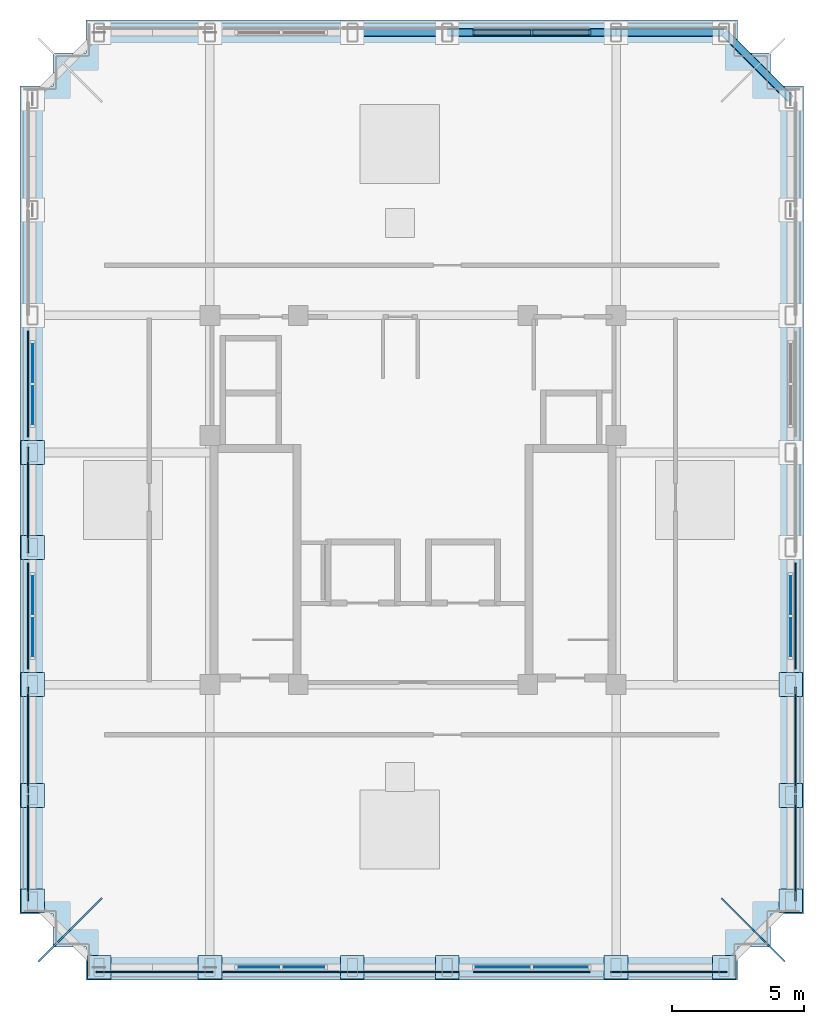
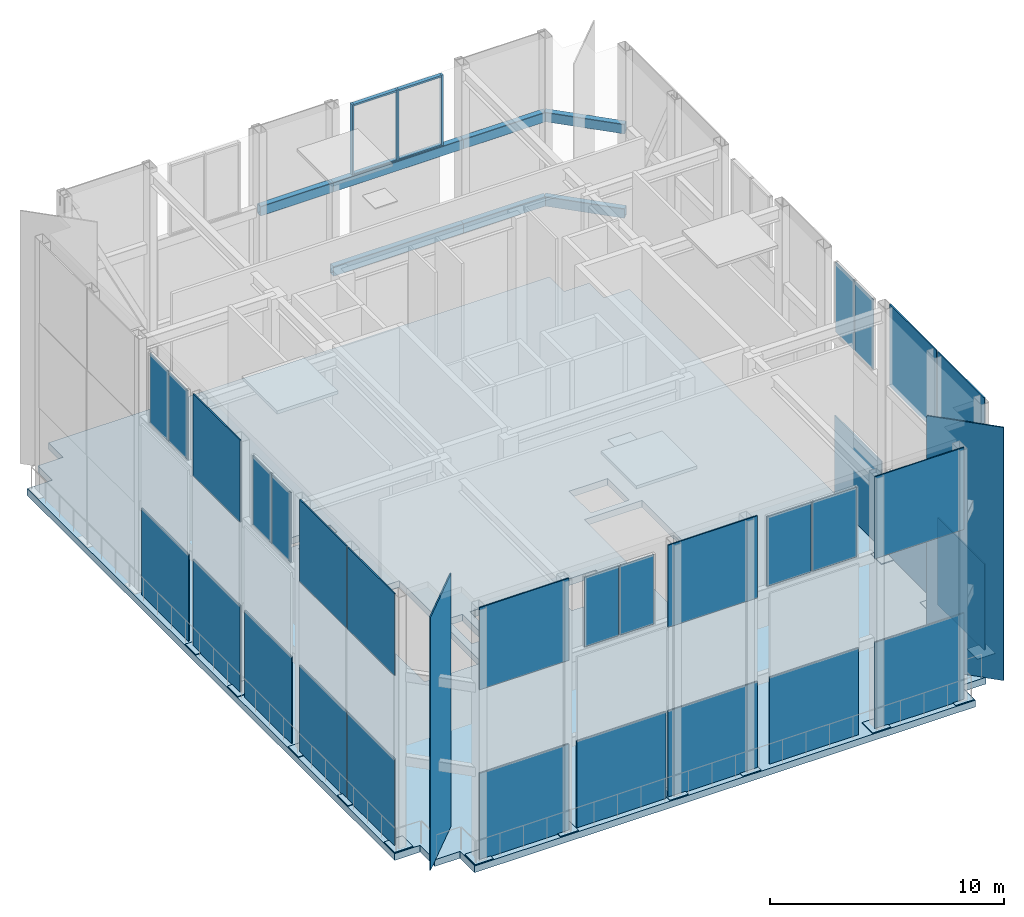
# One storey, part 3 of 7: 47 plates, 7 beams, 7 members, 1 slab, 6 elements without a shape of their own.
"""IFC4 building model written with IfcOpenShell, lengths in metres."""

from ifc_helpers import new_model, si_unit, derived_unit, direction, frame, origin, origin_2d, place, context, subcontext, project, spatial, polyline, rectangle, hollow_rectangle, outline, extrude, material, layer, layer_set, material_profile, profile_set, type_object, element, aggregate, save


model = new_model("IFC4")

# Units and contexts
model_context = context("Model", 3, precision=1e-05, world=origin(), true_north=direction((0.0, 1.0)))
body_context = subcontext(model_context, "Body", "Model", "MODEL_VIEW")
ifc_project = project(units=[si_unit("LENGTHUNIT", "METRE"), si_unit("AREAUNIT", "SQUARE_METRE"), si_unit("VOLUMEUNIT", "CUBIC_METRE"), si_unit("PLANEANGLEUNIT", "RADIAN"), si_unit("MASSUNIT", "GRAM", prefix="KILO"), derived_unit("THERMALTRANSMITTANCEUNIT", [(si_unit("MASSUNIT", "GRAM", prefix="KILO"), 1), (si_unit("TIMEUNIT", "SECOND"), -3), (si_unit("THERMODYNAMICTEMPERATUREUNIT", "KELVIN"), -1)])], contexts=[model_context])

# Site, building, storey
site_placement = place(None, origin())
site = spatial("IfcSite", under=ifc_project, at=site_placement, CompositionType="ELEMENT")
building_placement = place(site_placement, origin())
building = spatial("IfcBuilding", under=site, at=building_placement, Name="Korrvale Station Residences", CompositionType="ELEMENT")
storey_placement = place(building_placement, frame((0.0, 0.0, 261.5)))
storey = spatial("IfcBuildingStorey", under=building, at=storey_placement, Name="L76 Crown", CompositionType="ELEMENT", Elevation=261.5)

# Beams
ifc_material_1 = material(Name="Steel S355", Category="steel")
ifc_material_profile = material_profile(ifc_material_1, hollow_rectangle(XDim=0.3046875, YDim=0.508056640625, WallThickness=0.015869140625, InnerFilletRadius=0.015869140625, OuterFilletRadius=0.03173828125, at=origin_2d()), Name="HSS508x305x16")
ifc_profile_set = profile_set([ifc_material_profile], Name="Steel S355")
beam_type = type_object("IfcBeamType", Name="BM-CFB-HSS508x305x16-S355", PredefinedType="USERDEFINED", material=ifc_profile_set)
beam_placement = place(storey_placement, frame((23.199951171875, 39.719970703125, 8.89990234375), z_axis=(1.0, 0.0, 0.0), x_axis=(0.0, 1.0, 0.0)))
element("IfcBeam", 1, at=beam_placement, inside=storey, type_object=beam_type, Name="Ring Crown Intermediate Ring Beam M2-08", ObjectType="CROWN FRAME", PredefinedType="USERDEFINED", context=body_context, shape_type="SweptSolid", body=[
    extrude(hollow_rectangle(XDim=0.3046875, YDim=0.508056640625, WallThickness=0.015869140625, InnerFilletRadius=0.015869140625, OuterFilletRadius=0.03173828125, at=origin_2d()), origin(), (0.0, 0.0, 1.0), 3.60009765625),
])
for number, where, z_axis, x_axis, name in (
    (2, (26.800048828125, 39.719970703125, 4.5), (1.0, 0.0, 0.0), (0.0, 1.0, 0.0), "Ring Crown Intermediate Ring Beam M1-09"),
    (3, (26.800048828125, 39.719970703125, 8.89990234375), (1.0, 0.0, 0.0), (0.0, 1.0, 0.0), "Ring Crown Intermediate Ring Beam M2-09"),
):
    element("IfcBeam", number, at=place(storey_placement, frame(where, z_axis=z_axis, x_axis=x_axis)), inside=storey, type_object=beam_type, Name=name, ObjectType="CROWN FRAME", PredefinedType="USERDEFINED", context=body_context, shape_type="SweptSolid", body=[
        extrude(hollow_rectangle(XDim=0.3046875, YDim=0.508056640625, WallThickness=0.015869140625, InnerFilletRadius=0.015869140625, OuterFilletRadius=0.03173828125, at=origin_2d()), origin(), (0.0, 0.0, 1.0), 6.39990234375),
    ])
for number, where, z_axis, x_axis, name in (
    (4, (33.199951171875, 39.719970703125, 4.5), (1.0, 0.0, 0.0), (0.0, 1.0, 0.0), "Ring Crown Intermediate Ring Beam M1-10"),
    (5, (33.199951171875, 39.719970703125, 8.89990234375), (1.0, 0.0, 0.0), (0.0, 1.0, 0.0), "Ring Crown Intermediate Ring Beam M2-10"),
):
    element("IfcBeam", number, at=place(storey_placement, frame(where, z_axis=z_axis, x_axis=x_axis)), inside=storey, type_object=beam_type, Name=name, ObjectType="CROWN FRAME", PredefinedType="USERDEFINED", context=body_context, shape_type="SweptSolid", body=[
        extrude(hollow_rectangle(XDim=0.3046875, YDim=0.508056640625, WallThickness=0.015869140625, InnerFilletRadius=0.015869140625, OuterFilletRadius=0.03173828125, at=origin_2d()), origin(), (0.0, 0.0, 1.0), 4.10009765625),
    ])
for number, where, z_axis, x_axis, name in (
    (6, (37.300048828125, 39.719970703125, 4.5), (0.707106781187, -0.707106781187, 0.0), (0.707106781187, 0.707106781187, 0.0), "Ring Crown Intermediate Ring Beam M1-27"),
    (7, (37.300048828125, 39.719970703125, 8.89990234375), (0.707106781187, -0.707106781187, 0.0), (0.707106781187, 0.707106781187, 0.0), "Ring Crown Intermediate Ring Beam M2-27"),
):
    element("IfcBeam", number, at=place(storey_placement, frame(where, z_axis=z_axis, x_axis=x_axis)), inside=storey, type_object=beam_type, Name=name, ObjectType="CROWN FRAME", PredefinedType="USERDEFINED", context=body_context, shape_type="SweptSolid", body=[
        extrude(hollow_rectangle(XDim=0.3046875, YDim=0.508056640625, WallThickness=0.015869140625, InnerFilletRadius=0.015869140625, OuterFilletRadius=0.03173828125, at=origin_2d()), origin(), (0.0, 0.0, 1.0), 3.56396484375),
    ])

# Curtain wall, members
ifc_material_2 = material(Name="Unitised thermally broken aluminium curtain wall with triple low-e IGU", Category="aluminium")
curtain_wall_type = type_object("IfcCurtainWallType", Name="CW-CRN-RNG", PredefinedType="NOTDEFINED", material=ifc_material_2)
curtain_wall_1_placement = place(storey_placement, origin())
curtain_wall_1 = element("IfcCurtainWall", 8, at=curtain_wall_1_placement, inside=storey, type_object=curtain_wall_type, Name="L76 Crown Curtain Wall CW6-RUN-4", PredefinedType="NOTDEFINED")
ifc_material_3 = material(Name="Extruded thermally broken aluminium mullion", Category="aluminium")
member_type_1 = type_object("IfcMemberType", Name="CW-CRN-RNG-M", PredefinedType="MULLION", material=ifc_material_3)
member_1_placement = place(storey_placement, frame((27.794921875, 39.719970703125, 9.1201171875), z_axis=(0.0, 0.0, 1.0), x_axis=(1.0, 0.0, 0.0)))
member_1 = element("IfcMember", 9, at=member_1_placement, type_object=member_type_1, Name="CW-CRN-RNG Mullion 1", PredefinedType="MULLION", context=body_context, shape_type="SweptSolid", body=[
    extrude(rectangle(XDim=0.090087890625, YDim=0.18505859375, at=origin_2d()), origin(), (0.0, 0.0, 1.0), 3.7099609375),
])
member_2_placement = place(storey_placement, frame((30.0, 39.719970703125, 9.1201171875), z_axis=(0.0, 0.0, 1.0), x_axis=(1.0, 0.0, 0.0)))
member_2 = element("IfcMember", 10, at=member_2_placement, type_object=member_type_1, Name="CW-CRN-RNG Mullion 2", PredefinedType="MULLION", context=body_context, shape_type="SweptSolid", body=[
    extrude(rectangle(XDim=0.090087890625, YDim=0.18505859375, at=origin_2d()), origin(), (0.0, 0.0, 1.0), 3.7099609375),
])
member_3_placement = place(storey_placement, frame((32.205078125, 39.719970703125, 9.1201171875), z_axis=(0.0, 0.0, 1.0), x_axis=(1.0, 0.0, 0.0)))
member_3 = element("IfcMember", 11, at=member_3_placement, type_object=member_type_1, Name="CW-CRN-RNG Mullion 3", PredefinedType="MULLION", context=body_context, shape_type="SweptSolid", body=[
    extrude(rectangle(XDim=0.090087890625, YDim=0.18505859375, at=origin_2d()), origin(), (0.0, 0.0, 1.0), 3.7099609375),
])
ifc_material_4 = material(Name="Extruded thermally broken aluminium transom", Category="aluminium")
member_type_2 = type_object("IfcMemberType", Name="CW-CRN-RNG-T", PredefinedType="USERDEFINED", material=ifc_material_4)
member_4_placement = place(storey_placement, frame((28.875, 39.719970703125, 9.1201171875), z_axis=(0.0, 0.0, 1.0), x_axis=(1.0, 0.0, 0.0)))
member_4 = element("IfcMember", 12, at=member_4_placement, type_object=member_type_2, Name="CW-CRN-RNG Transom 1-1", ObjectType="TRANSOM", PredefinedType="USERDEFINED", context=body_context, shape_type="SweptSolid", body=[
    extrude(rectangle(XDim=2.159912109375, YDim=0.18505859375, at=origin_2d()), origin(), (0.0, 0.0, 1.0), 0.090087890625),
])
member_5_placement = place(storey_placement, frame((28.875, 39.719970703125, 12.73974609375), z_axis=(0.0, 0.0, 1.0), x_axis=(1.0, 0.0, 0.0)))
member_5 = element("IfcMember", 13, at=member_5_placement, type_object=member_type_2, Name="CW-CRN-RNG Transom 1-2", ObjectType="TRANSOM", PredefinedType="USERDEFINED", context=body_context, shape_type="SweptSolid", body=[
    extrude(rectangle(XDim=2.159912109375, YDim=0.18505859375, at=origin_2d()), origin(), (0.0, 0.0, 1.0), 0.090087890625),
])
member_6_placement = place(storey_placement, frame((31.125, 39.719970703125, 9.1201171875), z_axis=(0.0, 0.0, 1.0), x_axis=(1.0, 0.0, 0.0)))
member_6 = element("IfcMember", 14, at=member_6_placement, type_object=member_type_2, Name="CW-CRN-RNG Transom 2-1", ObjectType="TRANSOM", PredefinedType="USERDEFINED", context=body_context, shape_type="SweptSolid", body=[
    extrude(rectangle(XDim=2.159912109375, YDim=0.18505859375, at=origin_2d()), origin(), (0.0, 0.0, 1.0), 0.090087890625),
])
member_7_placement = place(storey_placement, frame((31.125, 39.719970703125, 12.73974609375), z_axis=(0.0, 0.0, 1.0), x_axis=(1.0, 0.0, 0.0)))
member_7 = element("IfcMember", 15, at=member_7_placement, type_object=member_type_2, Name="CW-CRN-RNG Transom 2-2", ObjectType="TRANSOM", PredefinedType="USERDEFINED", context=body_context, shape_type="SweptSolid", body=[
    extrude(rectangle(XDim=2.159912109375, YDim=0.18505859375, at=origin_2d()), origin(), (0.0, 0.0, 1.0), 0.090087890625),
])
aggregate(curtain_wall_1, [member_1, member_2, member_3, member_4, member_5, member_6, member_7])

# Curtain wall, plates
curtain_wall_2_placement = place(storey_placement, origin())
curtain_wall_2 = element("IfcCurtainWall", 16, at=curtain_wall_2_placement, inside=storey, type_object=curtain_wall_type, Name="L76 Crown Curtain Wall CW6-RUN-1", PredefinedType="NOTDEFINED")
ifc_material_5 = material(Name="Triple-glazed low-e argon insulated glass unit", Category="glass")
ifc_layer_1 = layer(ifc_material_5, 0.035888671875, Name="Triple-glazed low-e argon insulated glass unit")
ifc_layer_set_1 = layer_set([ifc_layer_1], Name="Triple-glazed low-e argon insulated glass unit")
plate_type_1 = type_object("IfcPlateType", Name="CW-CRN-RNG-P", PredefinedType="CURTAIN_PANEL", material=ifc_layer_set_1)
plate_1_placement = place(storey_placement, frame((19.625, 4.280029296875, 9.1552734375), z_axis=(0.0, 0.0, 1.0), x_axis=(1.0, 0.0, 0.0)))
plate_1 = element("IfcPlate", 17, at=plate_1_placement, type_object=plate_type_1, Name="CW-CRN-RNG Glazing Panel 1-1", PredefinedType="CURTAIN_PANEL", context=body_context, shape_type="SweptSolid", body=[
    extrude(rectangle(XDim=1.679931640625, YDim=0.035888671875, at=origin_2d()), origin(), (0.0, 0.0, 1.0), 3.639892578125),
])
plate_2_placement = place(storey_placement, frame((21.375, 4.280029296875, 9.1552734375), z_axis=(0.0, 0.0, 1.0), x_axis=(1.0, 0.0, 0.0)))
plate_2 = element("IfcPlate", 18, at=plate_2_placement, type_object=plate_type_1, Name="CW-CRN-RNG Glazing Panel 2-1", PredefinedType="CURTAIN_PANEL", context=body_context, shape_type="SweptSolid", body=[
    extrude(rectangle(XDim=1.679931640625, YDim=0.035888671875, at=origin_2d()), origin(), (0.0, 0.0, 1.0), 3.639892578125),
])
aggregate(curtain_wall_2, [plate_1, plate_2])

curtain_wall_3_placement = place(storey_placement, origin())
curtain_wall_3 = element("IfcCurtainWall", 19, at=curtain_wall_3_placement, inside=storey, type_object=curtain_wall_type, Name="L76 Crown Curtain Wall CW6-RUN-2", PredefinedType="NOTDEFINED")
plate_3_placement = place(storey_placement, frame((28.875, 4.280029296875, 9.1552734375), z_axis=(0.0, 0.0, 1.0), x_axis=(1.0, 0.0, 0.0)))
plate_3 = element("IfcPlate", 20, at=plate_3_placement, type_object=plate_type_1, Name="CW-CRN-RNG Glazing Panel 1-1", PredefinedType="CURTAIN_PANEL", context=body_context, shape_type="SweptSolid", body=[
    extrude(rectangle(XDim=2.179931640625, YDim=0.035888671875, at=origin_2d()), origin(), (0.0, 0.0, 1.0), 3.639892578125),
])
plate_4_placement = place(storey_placement, frame((31.125, 4.280029296875, 9.1552734375), z_axis=(0.0, 0.0, 1.0), x_axis=(1.0, 0.0, 0.0)))
plate_4 = element("IfcPlate", 21, at=plate_4_placement, type_object=plate_type_1, Name="CW-CRN-RNG Glazing Panel 2-1", PredefinedType="CURTAIN_PANEL", context=body_context, shape_type="SweptSolid", body=[
    extrude(rectangle(XDim=2.179931640625, YDim=0.035888671875, at=origin_2d()), origin(), (0.0, 0.0, 1.0), 3.639892578125),
])
aggregate(curtain_wall_3, [plate_3, plate_4])

curtain_wall_4_placement = place(storey_placement, origin())
curtain_wall_4 = element("IfcCurtainWall", 22, at=curtain_wall_4_placement, inside=storey, type_object=curtain_wall_type, Name="L76 Crown Curtain Wall CW6-RUN-5", PredefinedType="NOTDEFINED")
plate_5_placement = place(storey_placement, frame((11.080078125, 16.77490234375, 9.1552734375), z_axis=(0.0, 0.0, 1.0), x_axis=(0.0, 1.0, 0.0)))
plate_5 = element("IfcPlate", 23, at=plate_5_placement, type_object=plate_type_1, Name="CW-CRN-RNG Glazing Panel 1-1", PredefinedType="CURTAIN_PANEL", context=body_context, shape_type="SweptSolid", body=[
    extrude(rectangle(XDim=1.580078125, YDim=0.035888671875, at=origin_2d()), origin(), (0.0, 0.0, 1.0), 3.639892578125),
])
plate_6_placement = place(storey_placement, frame((11.080078125, 18.425048828125, 9.1552734375), z_axis=(0.0, 0.0, 1.0), x_axis=(0.0, 1.0, 0.0)))
plate_6 = element("IfcPlate", 24, at=plate_6_placement, type_object=plate_type_1, Name="CW-CRN-RNG Glazing Panel 2-1", PredefinedType="CURTAIN_PANEL", context=body_context, shape_type="SweptSolid", body=[
    extrude(rectangle(XDim=1.580078125, YDim=0.035888671875, at=origin_2d()), origin(), (0.0, 0.0, 1.0), 3.639892578125),
])
aggregate(curtain_wall_4, [plate_5, plate_6])

curtain_wall_5_placement = place(storey_placement, origin())
curtain_wall_5 = element("IfcCurtainWall", 25, at=curtain_wall_5_placement, inside=storey, type_object=curtain_wall_type, Name="L76 Crown Curtain Wall CW6-RUN-6", PredefinedType="NOTDEFINED")
plate_7_placement = place(storey_placement, frame((11.080078125, 25.574951171875, 9.1552734375), z_axis=(0.0, 0.0, 1.0), x_axis=(0.0, 1.0, 0.0)))
plate_7 = element("IfcPlate", 26, at=plate_7_placement, type_object=plate_type_1, Name="CW-CRN-RNG Glazing Panel 1-1", PredefinedType="CURTAIN_PANEL", context=body_context, shape_type="SweptSolid", body=[
    extrude(rectangle(XDim=1.580078125, YDim=0.035888671875, at=origin_2d()), origin(), (0.0, 0.0, 1.0), 3.639892578125),
])
plate_8_placement = place(storey_placement, frame((11.080078125, 27.22509765625, 9.1552734375), z_axis=(0.0, 0.0, 1.0), x_axis=(0.0, 1.0, 0.0)))
plate_8 = element("IfcPlate", 27, at=plate_8_placement, type_object=plate_type_1, Name="CW-CRN-RNG Glazing Panel 2-1", PredefinedType="CURTAIN_PANEL", context=body_context, shape_type="SweptSolid", body=[
    extrude(rectangle(XDim=1.580078125, YDim=0.035888671875, at=origin_2d()), origin(), (0.0, 0.0, 1.0), 3.639892578125),
])
aggregate(curtain_wall_5, [plate_7, plate_8])

curtain_wall_6_placement = place(storey_placement, origin())
curtain_wall_6 = element("IfcCurtainWall", 28, at=curtain_wall_6_placement, inside=storey, type_object=curtain_wall_type, Name="L76 Crown Curtain Wall CW6-RUN-7", PredefinedType="NOTDEFINED")
plate_9_placement = place(storey_placement, frame((39.820068359375, 16.77490234375, 9.1552734375), z_axis=(0.0, 0.0, 1.0), x_axis=(0.0, 1.0, 0.0)))
plate_9 = element("IfcPlate", 29, at=plate_9_placement, type_object=plate_type_1, Name="CW-CRN-RNG Glazing Panel 1-1", PredefinedType="CURTAIN_PANEL", context=body_context, shape_type="SweptSolid", body=[
    extrude(rectangle(XDim=1.580078125, YDim=0.035888671875, at=origin_2d()), origin(), (0.0, 0.0, 1.0), 3.639892578125),
])
plate_10_placement = place(storey_placement, frame((39.820068359375, 18.425048828125, 9.1552734375), z_axis=(0.0, 0.0, 1.0), x_axis=(0.0, 1.0, 0.0)))
plate_10 = element("IfcPlate", 30, at=plate_10_placement, type_object=plate_type_1, Name="CW-CRN-RNG Glazing Panel 2-1", PredefinedType="CURTAIN_PANEL", context=body_context, shape_type="SweptSolid", body=[
    extrude(rectangle(XDim=1.580078125, YDim=0.035888671875, at=origin_2d()), origin(), (0.0, 0.0, 1.0), 3.639892578125),
])
aggregate(curtain_wall_6, [plate_9, plate_10])

# Plates
ifc_layer_2 = layer(ifc_material_1, 0.034912109375, Name="Steel S355")
ifc_layer_set_2 = layer_set([ifc_layer_2], Name="Steel S355")
plate_type_2 = type_object("IfcPlateType", Name="PLT-BASE-35", PredefinedType="SHEET", material=ifc_layer_set_2)
for number, where, z_axis, x_axis, name in (
    (31, (13.60009765625, 4.280029296875, 0.0), (0.0, 0.0, 1.0), (1.0, 0.0, 0.0), "Crown Frame Post Base Plate 01"),
    (32, (17.800048828125, 4.280029296875, 0.0), (0.0, 0.0, 1.0), (1.0, 0.0, 0.0), "Crown Frame Post Base Plate 02"),
    (33, (23.199951171875, 4.280029296875, 0.0), (0.0, 0.0, 1.0), (1.0, 0.0, 0.0), "Crown Frame Post Base Plate 03"),
    (34, (26.800048828125, 4.280029296875, 0.0), (0.0, 0.0, 1.0), (1.0, 0.0, 0.0), "Crown Frame Post Base Plate 04"),
    (35, (33.199951171875, 4.280029296875, 0.0), (0.0, 0.0, 1.0), (1.0, 0.0, 0.0), "Crown Frame Post Base Plate 05"),
    (36, (37.300048828125, 4.280029296875, 0.0), (0.0, 0.0, 1.0), (1.0, 0.0, 0.0), "Crown Frame Post Base Plate 06"),
    (37, (11.080078125, 6.800048828125, 0.0), (0.0, 0.0, 1.0), (1.0, 0.0, 0.0), "Crown Frame Post Base Plate 13"),
    (38, (11.080078125, 10.800048828125, 0.0), (0.0, 0.0, 1.0), (1.0, 0.0, 0.0), "Crown Frame Post Base Plate 14"),
    (39, (11.080078125, 15.0, 0.0), (0.0, 0.0, 1.0), (1.0, 0.0, 0.0), "Crown Frame Post Base Plate 15"),
    (40, (11.080078125, 20.199951171875, 0.0), (0.0, 0.0, 1.0), (1.0, 0.0, 0.0), "Crown Frame Post Base Plate 16"),
    (41, (11.080078125, 23.800048828125, 0.0), (0.0, 0.0, 1.0), (1.0, 0.0, 0.0), "Crown Frame Post Base Plate 17"),
    (42, (39.820068359375, 6.800048828125, 0.0), (0.0, 0.0, 1.0), (1.0, 0.0, 0.0), "Crown Frame Post Base Plate 21"),
    (43, (39.820068359375, 10.800048828125, 0.0), (0.0, 0.0, 1.0), (1.0, 0.0, 0.0), "Crown Frame Post Base Plate 22"),
    (44, (39.820068359375, 15.0, 0.0), (0.0, 0.0, 1.0), (1.0, 0.0, 0.0), "Crown Frame Post Base Plate 23"),
):
    element("IfcPlate", number, at=place(storey_placement, frame(where, z_axis=z_axis, x_axis=x_axis)), inside=storey, type_object=plate_type_2, Name=name, PredefinedType="SHEET", context=body_context, shape_type="SweptSolid", body=[
        extrude(rectangle(XDim=0.89990234375, YDim=0.89990234375, at=origin_2d()), origin(), (0.0, 0.0, 1.0), 0.034912109375),
    ])
ifc_material_6 = material(Name="Anodised aluminium architectural plate", Category="aluminium")
ifc_layer_3 = layer(ifc_material_6, 0.0400390625, Name="Anodised aluminium architectural plate")
ifc_layer_set_3 = layer_set([ifc_layer_3], Name="Anodised aluminium architectural plate")
plate_type_3 = type_object("IfcPlateType", Name="PLT-CRN-SCR", PredefinedType="SHEET", material=ifc_layer_set_3)
plate_11_placement = place(storey_placement, frame((15.699951171875, 4.10009765625, -0.02001953125), z_axis=(0.0, 0.0, 1.0), x_axis=(1.0, 0.0, 0.0)))
element("IfcPlate", 45, at=plate_11_placement, inside=storey, type_object=plate_type_3, Name="Ring Crown Perforated Aluminium Screen B1-01", PredefinedType="SHEET", context=body_context, shape_type="SweptSolid", body=[
    extrude(rectangle(XDim=4.39990234375, YDim=0.06005859375, at=origin_2d()), origin(), (0.0, 0.0, 1.0), 4.5400390625),
])
plate_12_placement = place(storey_placement, frame((15.699951171875, 4.10009765625, 8.8798828125), z_axis=(0.0, 0.0, 1.0), x_axis=(1.0, 0.0, 0.0)))
element("IfcPlate", 46, at=plate_12_placement, inside=storey, type_object=plate_type_3, Name="Ring Crown Upper Cap Screen B3-01", PredefinedType="SHEET", context=body_context, shape_type="SweptSolid", body=[
    extrude(rectangle(XDim=4.39990234375, YDim=0.06005859375, at=origin_2d()), origin(), (0.0, 0.0, 1.0), 4.280029296875),
])
for number, where, z_axis, x_axis, name in (
    (47, (20.5, 4.10009765625, -0.02001953125), (0.0, 0.0, 1.0), (1.0, 0.0, 0.0), "Ring Crown Perforated Aluminium Screen B1-02"),
    (48, (25.0, 4.10009765625, -0.02001953125), (0.0, 0.0, 1.0), (1.0, 0.0, 0.0), "Ring Crown Perforated Aluminium Screen B1-03"),
):
    element("IfcPlate", number, at=place(storey_placement, frame(where, z_axis=z_axis, x_axis=x_axis)), inside=storey, type_object=plate_type_3, Name=name, PredefinedType="SHEET", context=body_context, shape_type="SweptSolid", body=[
        extrude(rectangle(XDim=4.39990234375, YDim=0.06005859375, at=origin_2d()), origin(), (0.0, 0.0, 1.0), 4.5400390625),
    ])
plate_13_placement = place(storey_placement, frame((25.0, 4.10009765625, 8.8798828125), z_axis=(0.0, 0.0, 1.0), x_axis=(1.0, 0.0, 0.0)))
element("IfcPlate", 49, at=plate_13_placement, inside=storey, type_object=plate_type_3, Name="Ring Crown Upper Cap Screen B3-03", PredefinedType="SHEET", context=body_context, shape_type="SweptSolid", body=[
    extrude(rectangle(XDim=4.39990234375, YDim=0.06005859375, at=origin_2d()), origin(), (0.0, 0.0, 1.0), 4.280029296875),
])
for number, where, z_axis, x_axis, name in (
    (50, (30.0, 4.10009765625, -0.02001953125), (0.0, 0.0, 1.0), (1.0, 0.0, 0.0), "Ring Crown Perforated Aluminium Screen B1-04"),
    (51, (35.199951171875, 4.10009765625, -0.02001953125), (0.0, 0.0, 1.0), (1.0, 0.0, 0.0), "Ring Crown Perforated Aluminium Screen B1-05"),
):
    element("IfcPlate", number, at=place(storey_placement, frame(where, z_axis=z_axis, x_axis=x_axis)), inside=storey, type_object=plate_type_3, Name=name, PredefinedType="SHEET", context=body_context, shape_type="SweptSolid", body=[
        extrude(rectangle(XDim=4.39990234375, YDim=0.06005859375, at=origin_2d()), origin(), (0.0, 0.0, 1.0), 4.5400390625),
    ])
plate_14_placement = place(storey_placement, frame((35.199951171875, 4.10009765625, 8.8798828125), z_axis=(0.0, 0.0, 1.0), x_axis=(1.0, 0.0, 0.0)))
element("IfcPlate", 52, at=plate_14_placement, inside=storey, type_object=plate_type_3, Name="Ring Crown Upper Cap Screen B3-05", PredefinedType="SHEET", context=body_context, shape_type="SweptSolid", body=[
    extrude(rectangle(XDim=4.39990234375, YDim=0.06005859375, at=origin_2d()), origin(), (0.0, 0.0, 1.0), 4.280029296875),
])
plate_15_placement = place(storey_placement, frame((10.89990234375, 8.800048828125, -0.02001953125), z_axis=(0.0, 0.0, 1.0), x_axis=(0.0, 1.0, 0.0)))
element("IfcPlate", 53, at=plate_15_placement, inside=storey, type_object=plate_type_3, Name="Ring Crown Perforated Aluminium Screen B1-11", PredefinedType="SHEET", context=body_context, shape_type="SweptSolid", body=[
    extrude(rectangle(XDim=4.0, YDim=0.06005859375, at=origin_2d()), origin(), (0.0, 0.0, 1.0), 4.5400390625),
])
plate_16_placement = place(storey_placement, frame((10.89990234375, 8.800048828125, 8.8798828125), z_axis=(0.0, 0.0, 1.0), x_axis=(0.0, 1.0, 0.0)))
element("IfcPlate", 54, at=plate_16_placement, inside=storey, type_object=plate_type_3, Name="Ring Crown Upper Cap Screen B3-11", PredefinedType="SHEET", context=body_context, shape_type="SweptSolid", body=[
    extrude(rectangle(XDim=4.0, YDim=0.06005859375, at=origin_2d()), origin(), (0.0, 0.0, 1.0), 4.280029296875),
])
plate_17_placement = place(storey_placement, frame((10.89990234375, 12.89990234375, -0.02001953125), z_axis=(0.0, 0.0, 1.0), x_axis=(0.0, 1.0, 0.0)))
element("IfcPlate", 55, at=plate_17_placement, inside=storey, type_object=plate_type_3, Name="Ring Crown Perforated Aluminium Screen B1-12", PredefinedType="SHEET", context=body_context, shape_type="SweptSolid", body=[
    extrude(rectangle(XDim=4.0, YDim=0.06005859375, at=origin_2d()), origin(), (0.0, 0.0, 1.0), 4.5400390625),
])
plate_18_placement = place(storey_placement, frame((10.89990234375, 12.89990234375, 8.8798828125), z_axis=(0.0, 0.0, 1.0), x_axis=(0.0, 1.0, 0.0)))
element("IfcPlate", 56, at=plate_18_placement, inside=storey, type_object=plate_type_3, Name="Ring Crown Upper Cap Screen B3-12", PredefinedType="SHEET", context=body_context, shape_type="SweptSolid", body=[
    extrude(rectangle(XDim=4.0, YDim=0.06005859375, at=origin_2d()), origin(), (0.0, 0.0, 1.0), 4.280029296875),
])
for number, where, z_axis, x_axis, name in (
    (57, (10.89990234375, 17.60009765625, -0.02001953125), (0.0, 0.0, 1.0), (0.0, 1.0, 0.0), "Ring Crown Perforated Aluminium Screen B1-13"),
    (58, (10.89990234375, 22.0, -0.02001953125), (0.0, 0.0, 1.0), (0.0, 1.0, 0.0), "Ring Crown Perforated Aluminium Screen B1-14"),
):
    element("IfcPlate", number, at=place(storey_placement, frame(where, z_axis=z_axis, x_axis=x_axis)), inside=storey, type_object=plate_type_3, Name=name, PredefinedType="SHEET", context=body_context, shape_type="SweptSolid", body=[
        extrude(rectangle(XDim=4.0, YDim=0.06005859375, at=origin_2d()), origin(), (0.0, 0.0, 1.0), 4.5400390625),
    ])
plate_19_placement = place(storey_placement, frame((10.89990234375, 22.0, 8.8798828125), z_axis=(0.0, 0.0, 1.0), x_axis=(0.0, 1.0, 0.0)))
element("IfcPlate", 59, at=plate_19_placement, inside=storey, type_object=plate_type_3, Name="Ring Crown Upper Cap Screen B3-14", PredefinedType="SHEET", context=body_context, shape_type="SweptSolid", body=[
    extrude(rectangle(XDim=4.0, YDim=0.06005859375, at=origin_2d()), origin(), (0.0, 0.0, 1.0), 4.280029296875),
])
for number, where, z_axis, x_axis, name in (
    (60, (10.89990234375, 26.39990234375, -0.02001953125), (0.0, 0.0, 1.0), (0.0, 1.0, 0.0), "Ring Crown Perforated Aluminium Screen B1-15"),
    (61, (40.0, 8.800048828125, -0.02001953125), (0.0, 0.0, 1.0), (0.0, 1.0, 0.0), "Ring Crown Perforated Aluminium Screen B1-18"),
):
    element("IfcPlate", number, at=place(storey_placement, frame(where, z_axis=z_axis, x_axis=x_axis)), inside=storey, type_object=plate_type_3, Name=name, PredefinedType="SHEET", context=body_context, shape_type="SweptSolid", body=[
        extrude(rectangle(XDim=4.0, YDim=0.06005859375, at=origin_2d()), origin(), (0.0, 0.0, 1.0), 4.5400390625),
    ])
plate_20_placement = place(storey_placement, frame((40.0, 8.800048828125, 8.8798828125), z_axis=(0.0, 0.0, 1.0), x_axis=(0.0, 1.0, 0.0)))
element("IfcPlate", 62, at=plate_20_placement, inside=storey, type_object=plate_type_3, Name="Ring Crown Upper Cap Screen B3-18", PredefinedType="SHEET", context=body_context, shape_type="SweptSolid", body=[
    extrude(rectangle(XDim=4.0, YDim=0.06005859375, at=origin_2d()), origin(), (0.0, 0.0, 1.0), 4.280029296875),
])
plate_21_placement = place(storey_placement, frame((40.0, 12.89990234375, -0.02001953125), z_axis=(0.0, 0.0, 1.0), x_axis=(0.0, 1.0, 0.0)))
element("IfcPlate", 63, at=plate_21_placement, inside=storey, type_object=plate_type_3, Name="Ring Crown Perforated Aluminium Screen B1-19", PredefinedType="SHEET", context=body_context, shape_type="SweptSolid", body=[
    extrude(rectangle(XDim=4.0, YDim=0.06005859375, at=origin_2d()), origin(), (0.0, 0.0, 1.0), 4.5400390625),
])
plate_22_placement = place(storey_placement, frame((40.0, 12.89990234375, 8.8798828125), z_axis=(0.0, 0.0, 1.0), x_axis=(0.0, 1.0, 0.0)))
element("IfcPlate", 64, at=plate_22_placement, inside=storey, type_object=plate_type_3, Name="Ring Crown Upper Cap Screen B3-19", PredefinedType="SHEET", context=body_context, shape_type="SweptSolid", body=[
    extrude(rectangle(XDim=4.0, YDim=0.06005859375, at=origin_2d()), origin(), (0.0, 0.0, 1.0), 4.280029296875),
])
plate_23_placement = place(storey_placement, frame((40.0, 17.60009765625, -0.02001953125), z_axis=(0.0, 0.0, 1.0), x_axis=(0.0, 1.0, 0.0)))
element("IfcPlate", 65, at=plate_23_placement, inside=storey, type_object=plate_type_3, Name="Ring Crown Perforated Aluminium Screen B1-20", PredefinedType="SHEET", context=body_context, shape_type="SweptSolid", body=[
    extrude(rectangle(XDim=4.0, YDim=0.06005859375, at=origin_2d()), origin(), (0.0, 0.0, 1.0), 4.5400390625),
])
for number, where, z_axis, x_axis, name in (
    (66, (12.5, 5.699951171875, -0.02001953125), (0.0, 0.0, 1.0), (0.707106781187, 0.707106781187, 0.0), "Ring Crown Serrated Corner Screen 1"),
    (67, (38.39990234375, 5.699951171875, -0.02001953125), (0.0, 0.0, 1.0), (0.707106781187, -0.707106781187, 0.0), "Ring Crown Serrated Corner Screen 2"),
):
    element("IfcPlate", number, at=place(storey_placement, frame(where, z_axis=z_axis, x_axis=x_axis)), inside=storey, type_object=plate_type_3, Name=name, PredefinedType="SHEET", context=body_context, shape_type="SweptSolid", body=[
        extrude(rectangle(XDim=3.39990234375, YDim=0.06005859375, at=origin_2d()), origin(), (0.0, 0.0, 1.0), 13.199951171875),
    ])

# Slab
ifc_material_7 = material(Name="Concrete C50/60", Category="concrete")
ifc_layer_4 = layer(ifc_material_7, 0.35009765625, Name="Concrete C50/60")
ifc_layer_set_4 = layer_set([ifc_layer_4], Name="Concrete C50/60")
slab_type = type_object("IfcSlabType", Name="SLB-FLR-350", PredefinedType="FLOOR", material=ifc_layer_set_4)
slab_placement = place(storey_placement, frame((0.0, 0.0, -0.35009765625)))
element("IfcSlab", 68, at=slab_placement, inside=storey, type_object=slab_type, Name="L76 Crown Suspended Structural Floor Slab", PredefinedType="FLOOR", context=body_context, shape_type="SweptSolid", body=[
    extrude(outline(polyline([(13.10009765625, 3.800048828125), (37.800048828125, 3.800048828125), (37.800048828125, 5.050048828125), (39.050048828125, 5.050048828125), (39.050048828125, 6.300048828125), (40.300048828125, 6.300048828125), (40.300048828125, 37.699951171875), (39.050048828125, 37.699951171875), (39.050048828125, 38.949951171875), (37.800048828125, 38.949951171875), (37.800048828125, 40.199951171875), (13.10009765625, 40.199951171875), (13.10009765625, 38.949951171875), (11.85009765625, 38.949951171875), (11.85009765625, 37.699951171875), (10.60009765625, 37.699951171875), (10.60009765625, 6.300048828125), (11.85009765625, 6.300048828125), (11.85009765625, 5.050048828125), (13.10009765625, 5.050048828125), (13.10009765625, 3.800048828125)]), holes=[polyline([(20.949951171875, 16.751953125), (20.949951171875, 23.800048828125), (18.10009765625, 23.800048828125), (18.10009765625, 16.751953125), (20.949951171875, 16.751953125)]), polyline([(32.89990234375, 16.751953125), (32.89990234375, 23.800048828125), (30.050048828125, 23.800048828125), (30.050048828125, 16.751953125), (32.89990234375, 16.751953125)]), polyline([(18.39990234375, 24.10009765625), (20.300048828125, 24.10009765625), (20.300048828125, 25.949951171875), (18.39990234375, 25.949951171875), (18.39990234375, 24.10009765625)]), polyline([(18.39990234375, 26.169921875), (20.300048828125, 26.169921875), (20.300048828125, 28.02001953125), (18.39990234375, 28.02001953125), (18.39990234375, 26.169921875)]), polyline([(30.550048828125, 24.10009765625), (32.449951171875, 24.10009765625), (32.449951171875, 25.949951171875), (30.550048828125, 25.949951171875), (30.550048828125, 24.10009765625)]), polyline([(22.39990234375, 18.199951171875), (24.800048828125, 18.199951171875), (24.800048828125, 20.300048828125), (22.39990234375, 20.300048828125), (22.39990234375, 18.199951171875)]), polyline([(26.199951171875, 18.199951171875), (28.60009765625, 18.199951171875), (28.60009765625, 20.300048828125), (26.199951171875, 20.300048828125), (26.199951171875, 18.199951171875)]), polyline([(18.10009765625, 28.280029296875), (20.449951171875, 28.280029296875), (20.449951171875, 28.8798828125), (18.10009765625, 28.8798828125), (18.10009765625, 28.280029296875)]), polyline([(21.280029296875, 18.199951171875), (22.02001953125, 18.199951171875), (22.02001953125, 20.300048828125), (21.280029296875, 20.300048828125), (21.280029296875, 18.199951171875)])]), origin(), (0.0, 0.0, 1.0), 0.35009765625),
])

save(model, "model.ifc")
